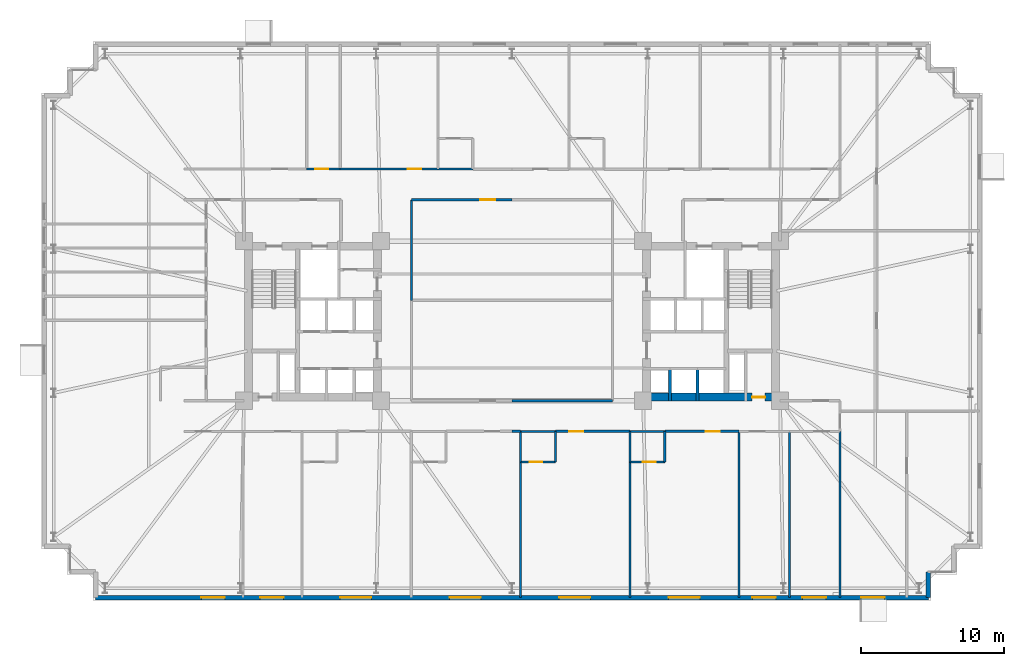
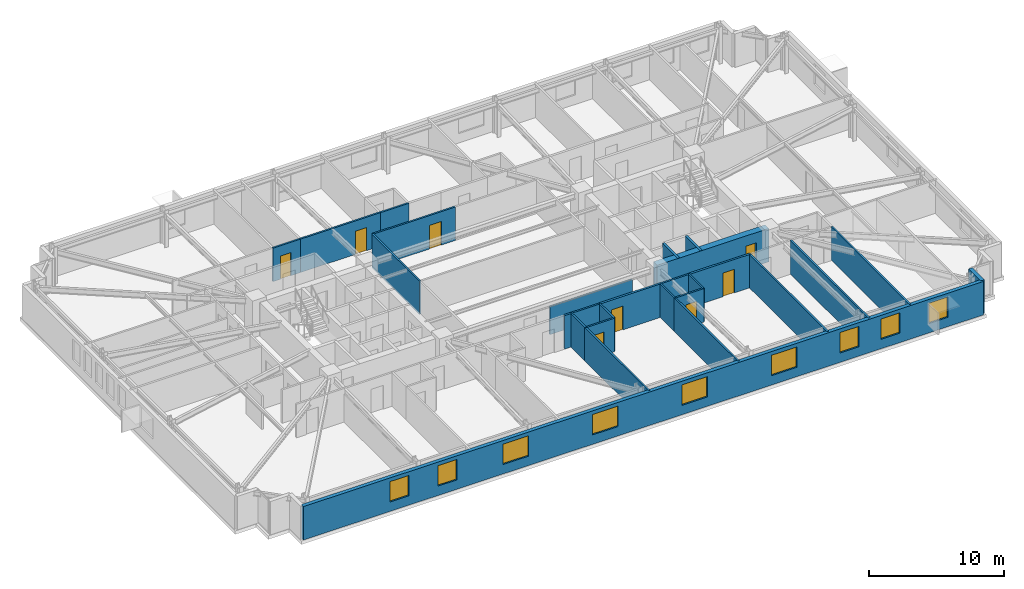
# One storey, part 16 of 21: 27 walls, 9 windows, 8 doors, 17 openings.
"""IFC4 building model written with IfcOpenShell, lengths in metres."""

from ifc_helpers import new_model, si_unit, direction, frame, frame_2d, origin, place, context, subcontext, project, spatial, rectangle, extrude, material, layer, layer_set, type_object, element, fill, save


model = new_model("IFC4")

# Units and contexts
model_context = context("Model", 3, precision=1e-05, world=origin(), true_north=direction((0.0, 1.0)))
body_context = subcontext(model_context, "Body", "Model", "MODEL_VIEW")
ifc_project = project(units=[si_unit("LENGTHUNIT", "METRE"), si_unit("AREAUNIT", "SQUARE_METRE"), si_unit("VOLUMEUNIT", "CUBIC_METRE"), si_unit("PLANEANGLEUNIT", "RADIAN"), si_unit("MASSUNIT", "GRAM", prefix="KILO")], contexts=[model_context])

# Site, building, storey
site_placement = place(None, origin())
site = spatial("IfcSite", under=ifc_project, at=site_placement, CompositionType="ELEMENT")
building_placement = place(site_placement, origin())
building = spatial("IfcBuilding", under=site, at=building_placement, Name="Qobustan Lattice House", CompositionType="ELEMENT")
storey_placement = place(building_placement, frame((0.0, 0.0, 40.39990234375)))
storey = spatial("IfcBuildingStorey", under=building, at=storey_placement, Name="L10", CompositionType="ELEMENT", Elevation=40.39990234375)

# Wall, opening, door
ifc_material_1 = material(Name="Concrete C60/75", Category="concrete")
ifc_layer_1 = layer(ifc_material_1, 0.56005859375)
ifc_layer_set_1 = layer_set([ifc_layer_1], Name="Concrete C60/75")
wall_type_1 = type_object("IfcWallType", Name="WAL-CORE-600", PredefinedType="SHEAR", material=ifc_layer_set_1)
wall_1_placement = place(storey_placement, frame((9.199951171875, -5.35009765625, 0.0), z_axis=(0.0, 0.0, 1.0), x_axis=(1.0, 0.0, 0.0)))
wall_1 = element("IfcWall", 1, at=wall_1_placement, inside=storey, type_object=wall_type_1, Name="L10 split-core shear wall CE-S", PredefinedType="SHEAR", context=body_context, shape_type="SweptSolid", body=[
    extrude(rectangle(XDim=9.60009765625, YDim=0.56005859375, at=frame_2d((4.800048828125, 0.0))), origin(), (0.0, 0.0, 1.0), 3.03515625),
])
opening_1_placement = place(wall_1_placement, frame((7.64990234375, 0.0, 0.0)))
opening_1 = element("IfcOpeningElement", 2, at=opening_1_placement, cuts=wall_1, Name="Opening RD-01", PredefinedType="OPENING", context=body_context, shape_type="SweptSolid", body=[
    extrude(rectangle(XDim=0.89990234375, YDim=2.10009765625, at=frame_2d((0.449951171875, 1.050048828125))), frame((0.0, 0.2900390625, 0.0), z_axis=(0.0, -1.0, 0.0), x_axis=(1.0, 0.0, 0.0)), (0.0, 0.0, 1.0), 0.580078125),
])
ifc_material_2 = material(Name="Persian walnut timber and steel frame door", Category="steel")
door_type_1 = type_object("IfcDoorType", Name="DOR-RISER-FD-900x2100", OperationType="NOTDEFINED", PredefinedType="DOOR", material=ifc_material_2)
door_1_placement = place(opening_1_placement, origin())
door_1 = element("IfcDoor", 3, at=door_1_placement, inside=storey, type_object=door_type_1, Name="L10 core service riser access door E", OperationType="SINGLE_SWING_RIGHT", OverallHeight=2.10009765625, OverallWidth=0.89990234375, PredefinedType="DOOR", context=body_context, shape_type="SweptSolid", body=[
    extrude(rectangle(XDim=0.89990234375, YDim=2.10009765625, at=frame_2d((0.449951171875, 1.050048828125))), frame((0.0, 0.02490234375, 0.0), z_axis=(0.0, -1.0, 0.0), x_axis=(1.0, 0.0, 0.0)), (0.0, 0.0, 1.0), 0.050048828125),
])
fill(opening_1, door_1)

# Wall
ifc_material_3 = material(Name="Precast concrete C40/50", Category="concrete")
ifc_layer_2 = layer(ifc_material_3, 0.320068359375)
ifc_layer_set_2 = layer_set([ifc_layer_2], Name="Precast concrete C40/50")
wall_type_2 = type_object("IfcWallType", Name="WAL-EXT-STONE-320", PredefinedType="SOLIDWALL", material=ifc_layer_set_2)
wall_2_placement = place(storey_placement, frame((29.199951171875, -17.60009765625, 0.0), z_axis=(0.0, 0.0, 1.0), x_axis=(0.0, -1.0, 0.0)))
element("IfcWall", 4, at=wall_2_placement, inside=storey, type_object=wall_type_2, Name="L10 exterior limestone-clad wall 19", PredefinedType="SOLIDWALL", context=body_context, shape_type="SweptSolid", body=[
    extrude(rectangle(XDim=1.7998046875, YDim=0.320068359375, at=frame_2d((0.89990234375, 0.0))), origin(), (0.0, 0.0, 1.0), 3.03515625),
])

# Wall, openings, windows
wall_3_placement = place(storey_placement, frame((29.199951171875, -19.39990234375, 0.0), z_axis=(0.0, 0.0, 1.0), x_axis=(-1.0, 0.0, 0.0)))
wall_3 = element("IfcWall", 5, at=wall_3_placement, inside=storey, type_object=wall_type_2, Name="L10 exterior limestone-clad wall 20", PredefinedType="SOLIDWALL", context=body_context, shape_type="SweptSolid", body=[
    extrude(rectangle(XDim=58.39990234375, YDim=0.320068359375, at=frame_2d((29.199951171875, 0.0))), origin(), (0.0, 0.0, 1.0), 3.03515625),
])
opening_2_placement = place(wall_3_placement, frame((3.054931640625, 0.0, 0.85009765625)))
opening_2 = element("IfcOpeningElement", 6, at=opening_2_placement, cuts=wall_3, Name="Opening WN-09", PredefinedType="OPENING", context=body_context, shape_type="SweptSolid", body=[
    extrude(rectangle(XDim=1.64990234375, YDim=1.85009765625, at=frame_2d((0.824951171875, 0.925048828125))), frame((0.0, 0.169921875, 0.0), z_axis=(0.0, -1.0, 0.0), x_axis=(1.0, 0.0, 0.0)), (0.0, 0.0, 1.0), 0.340087890625),
])
opening_3_placement = place(wall_3_placement, frame((7.175048828125, 0.0, 0.85009765625)))
opening_3 = element("IfcOpeningElement", 7, at=opening_3_placement, cuts=wall_3, Name="Opening WN-09", PredefinedType="OPENING", context=body_context, shape_type="SweptSolid", body=[
    extrude(rectangle(XDim=1.64990234375, YDim=1.85009765625, at=frame_2d((0.824951171875, 0.925048828125))), frame((0.0, 0.169921875, 0.0), z_axis=(0.0, -1.0, 0.0), x_axis=(1.0, 0.0, 0.0)), (0.0, 0.0, 1.0), 0.340087890625),
])
opening_4_placement = place(wall_3_placement, frame((10.695068359375, 0.0, 0.85009765625)))
opening_4 = element("IfcOpeningElement", 8, at=opening_4_placement, cuts=wall_3, Name="Opening WN-09", PredefinedType="OPENING", context=body_context, shape_type="SweptSolid", body=[
    extrude(rectangle(XDim=1.64990234375, YDim=1.85009765625, at=frame_2d((0.824951171875, 0.925048828125))), frame((0.0, 0.169921875, 0.0), z_axis=(0.0, -1.0, 0.0), x_axis=(1.0, 0.0, 0.0)), (0.0, 0.0, 1.0), 0.340087890625),
])
opening_5_placement = place(wall_3_placement, frame((16.02001953125, 0.0, 0.85009765625)))
opening_5 = element("IfcOpeningElement", 9, at=opening_5_placement, cuts=wall_3, Name="Opening WN-03", PredefinedType="OPENING", context=body_context, shape_type="SweptSolid", body=[
    extrude(rectangle(XDim=2.199951171875, YDim=1.85009765625, at=frame_2d((1.10009765625, 0.925048828125))), frame((0.0, 0.169921875, 0.0), z_axis=(0.0, -1.0, 0.0), x_axis=(1.0, 0.0, 0.0)), (0.0, 0.0, 1.0), 0.340087890625),
])
opening_6_placement = place(wall_3_placement, frame((23.699951171875, 0.0, 0.85009765625)))
opening_6 = element("IfcOpeningElement", 10, at=opening_6_placement, cuts=wall_3, Name="Opening WN-03", PredefinedType="OPENING", context=body_context, shape_type="SweptSolid", body=[
    extrude(rectangle(XDim=2.199951171875, YDim=1.85009765625, at=frame_2d((1.10009765625, 0.925048828125))), frame((0.0, 0.169921875, 0.0), z_axis=(0.0, -1.0, 0.0), x_axis=(1.0, 0.0, 0.0)), (0.0, 0.0, 1.0), 0.340087890625),
])
opening_7_placement = place(wall_3_placement, frame((31.3798828125, 0.0, 0.85009765625)))
opening_7 = element("IfcOpeningElement", 11, at=opening_7_placement, cuts=wall_3, Name="Opening WN-03", PredefinedType="OPENING", context=body_context, shape_type="SweptSolid", body=[
    extrude(rectangle(XDim=2.199951171875, YDim=1.85009765625, at=frame_2d((1.10009765625, 0.925048828125))), frame((0.0, 0.169921875, 0.0), z_axis=(0.0, -1.0, 0.0), x_axis=(1.0, 0.0, 0.0)), (0.0, 0.0, 1.0), 0.340087890625),
])
opening_8_placement = place(wall_3_placement, frame((39.06005859375, 0.0, 0.85009765625)))
opening_8 = element("IfcOpeningElement", 12, at=opening_8_placement, cuts=wall_3, Name="Opening WN-03", PredefinedType="OPENING", context=body_context, shape_type="SweptSolid", body=[
    extrude(rectangle(XDim=2.199951171875, YDim=1.85009765625, at=frame_2d((1.10009765625, 0.925048828125))), frame((0.0, 0.169921875, 0.0), z_axis=(0.0, -1.0, 0.0), x_axis=(1.0, 0.0, 0.0)), (0.0, 0.0, 1.0), 0.340087890625),
])
opening_9_placement = place(wall_3_placement, frame((45.215087890625, 0.0, 0.85009765625)))
opening_9 = element("IfcOpeningElement", 13, at=opening_9_placement, cuts=wall_3, Name="Opening WN-09", PredefinedType="OPENING", context=body_context, shape_type="SweptSolid", body=[
    extrude(rectangle(XDim=1.64990234375, YDim=1.85009765625, at=frame_2d((0.824951171875, 0.925048828125))), frame((0.0, 0.169921875, 0.0), z_axis=(0.0, -1.0, 0.0), x_axis=(1.0, 0.0, 0.0)), (0.0, 0.0, 1.0), 0.340087890625),
])
opening_10_placement = place(wall_3_placement, frame((49.3349609375, 0.0, 0.85009765625)))
opening_10 = element("IfcOpeningElement", 14, at=opening_10_placement, cuts=wall_3, Name="Opening WN-09", PredefinedType="OPENING", context=body_context, shape_type="SweptSolid", body=[
    extrude(rectangle(XDim=1.64990234375, YDim=1.85009765625, at=frame_2d((0.824951171875, 0.925048828125))), frame((0.0, 0.169921875, 0.0), z_axis=(0.0, -1.0, 0.0), x_axis=(1.0, 0.0, 0.0)), (0.0, 0.0, 1.0), 0.340087890625),
])
ifc_material_4 = material(Name="Double-glazed low-E aluminium window", Category="aluminium")
window_type_1 = type_object("IfcWindowType", Name="WIN-STU-1650x1850", PartitioningType="SINGLE_PANEL", PredefinedType="WINDOW", material=ifc_material_4)
window_1_placement = place(opening_2_placement, origin())
window_1 = element("IfcWindow", 15, at=window_1_placement, inside=storey, type_object=window_type_1, Name="L10 Focus study room E1A window", OverallHeight=1.85009765625, OverallWidth=1.64990234375, PartitioningType="SINGLE_PANEL", PredefinedType="WINDOW", context=body_context, shape_type="SweptSolid", body=[
    extrude(rectangle(XDim=1.64990234375, YDim=1.85009765625, at=frame_2d((0.824951171875, 0.925048828125))), frame((0.0, 0.030029296875, 0.0), z_axis=(0.0, -1.0, 0.0), x_axis=(1.0, 0.0, 0.0)), (0.0, 0.0, 1.0), 0.06005859375),
])
fill(opening_2, window_1)
window_2_placement = place(opening_3_placement, origin())
window_2 = element("IfcWindow", 16, at=window_2_placement, inside=storey, type_object=window_type_1, Name="L10 Academic seminar room window", OverallHeight=1.85009765625, OverallWidth=1.64990234375, PartitioningType="SINGLE_PANEL", PredefinedType="WINDOW", context=body_context, shape_type="SweptSolid", body=[
    extrude(rectangle(XDim=1.64990234375, YDim=1.85009765625, at=frame_2d((0.824951171875, 0.925048828125))), frame((0.0, 0.030029296875, 0.0), z_axis=(0.0, -1.0, 0.0), x_axis=(1.0, 0.0, 0.0)), (0.0, 0.0, 1.0), 0.06005859375),
])
fill(opening_3, window_2)
window_3_placement = place(opening_4_placement, origin())
window_3 = element("IfcWindow", 17, at=window_3_placement, inside=storey, type_object=window_type_1, Name="L10 Group study room window", OverallHeight=1.85009765625, OverallWidth=1.64990234375, PartitioningType="SINGLE_PANEL", PredefinedType="WINDOW", context=body_context, shape_type="SweptSolid", body=[
    extrude(rectangle(XDim=1.64990234375, YDim=1.85009765625, at=frame_2d((0.824951171875, 0.925048828125))), frame((0.0, 0.030029296875, 0.0), z_axis=(0.0, -1.0, 0.0), x_axis=(1.0, 0.0, 0.0)), (0.0, 0.0, 1.0), 0.06005859375),
])
fill(opening_4, window_3)
window_4_placement = place(opening_9_placement, origin())
window_4 = element("IfcWindow", 18, at=window_4_placement, inside=storey, type_object=window_type_1, Name="L10 Focus study room S1B window", OverallHeight=1.85009765625, OverallWidth=1.64990234375, PartitioningType="SINGLE_PANEL", PredefinedType="WINDOW", context=body_context, shape_type="SweptSolid", body=[
    extrude(rectangle(XDim=1.64990234375, YDim=1.85009765625, at=frame_2d((0.824951171875, 0.925048828125))), frame((0.0, 0.030029296875, 0.0), z_axis=(0.0, -1.0, 0.0), x_axis=(1.0, 0.0, 0.0)), (0.0, 0.0, 1.0), 0.06005859375),
])
fill(opening_9, window_4)
window_5_placement = place(opening_10_placement, origin())
window_5 = element("IfcWindow", 19, at=window_5_placement, inside=storey, type_object=window_type_1, Name="L10 Focus study room S1A window", OverallHeight=1.85009765625, OverallWidth=1.64990234375, PartitioningType="SINGLE_PANEL", PredefinedType="WINDOW", context=body_context, shape_type="SweptSolid", body=[
    extrude(rectangle(XDim=1.64990234375, YDim=1.85009765625, at=frame_2d((0.824951171875, 0.925048828125))), frame((0.0, 0.030029296875, 0.0), z_axis=(0.0, -1.0, 0.0), x_axis=(1.0, 0.0, 0.0)), (0.0, 0.0, 1.0), 0.06005859375),
])
fill(opening_10, window_5)
ifc_material_5 = material(Name="Double-glazed low-E aluminium window", Category="aluminium")
window_type_2 = type_object("IfcWindowType", Name="WIN-WIDE-2200x1850", PartitioningType="SINGLE_PANEL", PredefinedType="WINDOW", material=ifc_material_5)
window_6_placement = place(opening_5_placement, origin())
window_6 = element("IfcWindow", 20, at=window_6_placement, inside=storey, type_object=window_type_2, Name="L10 Kitchenette and studio apartment L10-S5 window", OverallHeight=1.85009765625, OverallWidth=2.199951171875, PartitioningType="SINGLE_PANEL", PredefinedType="WINDOW", context=body_context, shape_type="SweptSolid", body=[
    extrude(rectangle(XDim=2.199951171875, YDim=1.85009765625, at=frame_2d((1.10009765625, 0.925048828125))), frame((0.0, 0.030029296875, 0.0), z_axis=(0.0, -1.0, 0.0), x_axis=(1.0, 0.0, 0.0)), (0.0, 0.0, 1.0), 0.06005859375),
])
fill(opening_5, window_6)
window_7_placement = place(opening_6_placement, origin())
window_7 = element("IfcWindow", 21, at=window_7_placement, inside=storey, type_object=window_type_2, Name="L10 Kitchenette and studio apartment L10-S4 window", OverallHeight=1.85009765625, OverallWidth=2.199951171875, PartitioningType="SINGLE_PANEL", PredefinedType="WINDOW", context=body_context, shape_type="SweptSolid", body=[
    extrude(rectangle(XDim=2.199951171875, YDim=1.85009765625, at=frame_2d((1.10009765625, 0.925048828125))), frame((0.0, 0.030029296875, 0.0), z_axis=(0.0, -1.0, 0.0), x_axis=(1.0, 0.0, 0.0)), (0.0, 0.0, 1.0), 0.06005859375),
])
fill(opening_6, window_7)
window_8_placement = place(opening_7_placement, origin())
window_8 = element("IfcWindow", 22, at=window_8_placement, inside=storey, type_object=window_type_2, Name="L10 Kitchenette and studio apartment L10-S3 window", OverallHeight=1.85009765625, OverallWidth=2.199951171875, PartitioningType="SINGLE_PANEL", PredefinedType="WINDOW", context=body_context, shape_type="SweptSolid", body=[
    extrude(rectangle(XDim=2.199951171875, YDim=1.85009765625, at=frame_2d((1.10009765625, 0.925048828125))), frame((0.0, 0.030029296875, 0.0), z_axis=(0.0, -1.0, 0.0), x_axis=(1.0, 0.0, 0.0)), (0.0, 0.0, 1.0), 0.06005859375),
])
fill(opening_7, window_8)
window_9_placement = place(opening_8_placement, origin())
window_9 = element("IfcWindow", 23, at=window_9_placement, inside=storey, type_object=window_type_2, Name="L10 Kitchenette and studio apartment L10-S2 window", OverallHeight=1.85009765625, OverallWidth=2.199951171875, PartitioningType="SINGLE_PANEL", PredefinedType="WINDOW", context=body_context, shape_type="SweptSolid", body=[
    extrude(rectangle(XDim=2.199951171875, YDim=1.85009765625, at=frame_2d((1.10009765625, 0.925048828125))), frame((0.0, 0.030029296875, 0.0), z_axis=(0.0, -1.0, 0.0), x_axis=(1.0, 0.0, 0.0)), (0.0, 0.0, 1.0), 0.06005859375),
])
fill(opening_8, window_9)

# Wall
ifc_material_6 = material(Name="Gypsum fireboard acoustic partition", Category="gypsum")
ifc_layer_3 = layer(ifc_material_6, 0.179931640625)
ifc_layer_set_3 = layer_set([ifc_layer_3], Name="Gypsum fireboard acoustic partition")
wall_type_3 = type_object("IfcWallType", Name="WAL-FIRE-180", PredefinedType="PARTITIONING", material=ifc_layer_set_3)
wall_4_placement = place(storey_placement, frame((0.60009765625, -7.75, 0.0), z_axis=(0.0, 0.0, 1.0), x_axis=(-1.0, 0.0, 0.0)))
element("IfcWall", 24, at=wall_4_placement, inside=storey, type_object=wall_type_3, Name="L10 interior partition 66", PredefinedType="PARTITIONING", context=body_context, shape_type="SweptSolid", body=[
    extrude(rectangle(XDim=0.60009765625, YDim=0.179931640625, at=frame_2d((0.300048828125, 0.0))), origin(), (0.0, 0.0, 1.0), 3.03515625),
])

# Wall, opening, door
wall_5_placement = place(storey_placement, frame((8.26708984375, -7.75, 0.0), z_axis=(0.0, 0.0, 1.0), x_axis=(-1.0, 0.0, 0.0)))
wall_5 = element("IfcWall", 25, at=wall_5_placement, inside=storey, type_object=wall_type_3, Name="L10 interior partition 67", PredefinedType="PARTITIONING", context=body_context, shape_type="SweptSolid", body=[
    extrude(rectangle(XDim=5.217041015625, YDim=0.179931640625, at=frame_2d((2.6083984375, 0.0))), origin(), (0.0, 0.0, 1.0), 3.03515625),
])
opening_11_placement = place(wall_5_placement, frame((3.2548828125, 0.0, 0.0)))
opening_11 = element("IfcOpeningElement", 26, at=opening_11_placement, cuts=wall_5, Name="Opening FD-02", PredefinedType="OPENING", context=body_context, shape_type="SweptSolid", body=[
    extrude(rectangle(XDim=1.0, YDim=2.14990234375, at=frame_2d((0.5, 1.074951171875))), frame((0.0, 0.099853515625, 0.0), z_axis=(0.0, -1.0, 0.0), x_axis=(1.0, 0.0, 0.0)), (0.0, 0.0, 1.0), 0.199951171875),
])
ifc_material_7 = material(Name="Persian walnut timber and steel frame door", Category="steel")
door_type_2 = type_object("IfcDoorType", Name="DOR-UNIT-FD-1000x2150", OperationType="NOTDEFINED", PredefinedType="DOOR", material=ifc_material_7)
door_2_placement = place(opening_11_placement, origin())
door_2 = element("IfcDoor", 27, at=door_2_placement, inside=storey, type_object=door_type_2, Name="L10 South-east floor corridor to Kitchenette and studio apartment L10-S4 door", OperationType="SINGLE_SWING_LEFT", OverallHeight=2.14990234375, OverallWidth=1.0, PredefinedType="DOOR", context=body_context, shape_type="SweptSolid", body=[
    extrude(rectangle(XDim=1.0, YDim=2.14990234375, at=frame_2d((0.5, 1.074951171875))), frame((0.0, 0.02490234375, 0.0), z_axis=(0.0, -1.0, 0.0), x_axis=(1.0, 0.0, 0.0)), (0.0, 0.0, 1.0), 0.050048828125),
])
fill(opening_11, door_2)

wall_6_placement = place(storey_placement, frame((15.93310546875, -7.75, 0.0), z_axis=(0.0, 0.0, 1.0), x_axis=(-1.0, 0.0, 0.0)))
wall_6 = element("IfcWall", 28, at=wall_6_placement, inside=storey, type_object=wall_type_3, Name="L10 interior partition 69", PredefinedType="PARTITIONING", context=body_context, shape_type="SweptSolid", body=[
    extrude(rectangle(XDim=5.216064453125, YDim=0.179931640625, at=frame_2d((2.60791015625, 0.0))), origin(), (0.0, 0.0, 1.0), 3.03515625),
])
opening_12_placement = place(wall_6_placement, frame((1.343994140625, 0.0, 0.0)))
opening_12 = element("IfcOpeningElement", 29, at=opening_12_placement, cuts=wall_6, Name="Opening FD-02", PredefinedType="OPENING", context=body_context, shape_type="SweptSolid", body=[
    extrude(rectangle(XDim=1.0, YDim=2.14990234375, at=frame_2d((0.5, 1.074951171875))), frame((0.0, 0.099853515625, 0.0), z_axis=(0.0, -1.0, 0.0), x_axis=(1.0, 0.0, 0.0)), (0.0, 0.0, 1.0), 0.199951171875),
])
door_3_placement = place(opening_12_placement, origin())
door_3 = element("IfcDoor", 30, at=door_3_placement, inside=storey, type_object=door_type_2, Name="L10 South-east floor corridor to Kitchenette and studio apartment L10-S5 door", OperationType="SINGLE_SWING_RIGHT", OverallHeight=2.14990234375, OverallWidth=1.0, PredefinedType="DOOR", context=body_context, shape_type="SweptSolid", body=[
    extrude(rectangle(XDim=1.0, YDim=2.14990234375, at=frame_2d((0.5, 1.074951171875))), frame((0.0, 0.02490234375, 0.0), z_axis=(0.0, -1.0, 0.0), x_axis=(1.0, 0.0, 0.0)), (0.0, 0.0, 1.0), 0.050048828125),
])
fill(opening_12, door_3)

ifc_material_8 = material(Name="Acoustic twin-stud gypsum partition", Category="gypsum")
ifc_layer_4 = layer(ifc_material_8, 0.14990234375)
ifc_layer_set_4 = layer_set([ifc_layer_4], Name="Acoustic twin-stud gypsum partition")
wall_type_4 = type_object("IfcWallType", Name="WAL-PART-150", PredefinedType="PARTITIONING", material=ifc_layer_set_4)
wall_7_placement = place(storey_placement, frame((-12.050048828125, 10.64990234375, 0.0), z_axis=(0.0, 0.0, 1.0), x_axis=(1.0, 0.0, 0.0)))
wall_7 = element("IfcWall", 31, at=wall_7_placement, inside=storey, type_object=wall_type_4, Name="L10 interior partition 42", PredefinedType="PARTITIONING", context=body_context, shape_type="SweptSolid", body=[
    extrude(rectangle(XDim=6.85009765625, YDim=0.14990234375, at=frame_2d((3.425048828125, 0.0))), origin(), (0.0, 0.0, 1.0), 3.03515625),
])
opening_13_placement = place(wall_7_placement, frame((4.7275390625, 0.0, 0.0)))
opening_13 = element("IfcOpeningElement", 32, at=opening_13_placement, cuts=wall_7, Name="Opening ID-01", PredefinedType="OPENING", context=body_context, shape_type="SweptSolid", body=[
    extrude(rectangle(XDim=0.949951171875, YDim=2.10009765625, at=frame_2d((0.47509765625, 1.050048828125))), frame((0.0, 0.0849609375, 0.0), z_axis=(0.0, -1.0, 0.0), x_axis=(1.0, 0.0, 0.0)), (0.0, 0.0, 1.0), 0.169921875),
])
ifc_material_9 = material(Name="Persian walnut timber and steel frame door", Category="steel")
door_type_3 = type_object("IfcDoorType", Name="DOR-ROOM-950x2100", OperationType="NOTDEFINED", PredefinedType="DOOR", material=ifc_material_9)
door_4_placement = place(opening_13_placement, origin())
door_4 = element("IfcDoor", 33, at=door_4_placement, inside=storey, type_object=door_type_3, Name="L10 North-west floor corridor to Laundry utility room door", OperationType="SINGLE_SWING_LEFT", OverallHeight=2.10009765625, OverallWidth=0.949951171875, PredefinedType="DOOR", context=body_context, shape_type="SweptSolid", body=[
    extrude(rectangle(XDim=0.949951171875, YDim=2.10009765625, at=frame_2d((0.47509765625, 1.050048828125))), frame((0.0, 0.02490234375, 0.0), z_axis=(0.0, -1.0, 0.0), x_axis=(1.0, 0.0, 0.0)), (0.0, 0.0, 1.0), 0.050048828125),
])
fill(opening_13, door_4)

wall_8_placement = place(storey_placement, frame((0.0, 8.5, 0.0), z_axis=(0.0, 0.0, 1.0), x_axis=(-1.0, 0.0, 0.0)))
wall_8 = element("IfcWall", 34, at=wall_8_placement, inside=storey, type_object=wall_type_4, Name="L10 interior partition 45", PredefinedType="PARTITIONING", context=body_context, shape_type="SweptSolid", body=[
    extrude(rectangle(XDim=7.050048828125, YDim=0.14990234375, at=frame_2d((3.52490234375, 0.0))), origin(), (0.0, 0.0, 1.0), 3.03515625),
])
opening_14_placement = place(wall_8_placement, frame((1.18505859375, 0.0, 0.0)))
opening_14 = element("IfcOpeningElement", 35, at=opening_14_placement, cuts=wall_8, Name="Opening ID-02", PredefinedType="OPENING", context=body_context, shape_type="SweptSolid", body=[
    extrude(rectangle(XDim=1.050048828125, YDim=2.14990234375, at=frame_2d((0.52490234375, 1.074951171875))), frame((0.0, 0.0849609375, 0.0), z_axis=(0.0, -1.0, 0.0), x_axis=(1.0, 0.0, 0.0)), (0.0, 0.0, 1.0), 0.169921875),
])
ifc_material_10 = material(Name="Persian walnut timber and steel frame door", Category="steel")
door_type_4 = type_object("IfcDoorType", Name="DOR-STUDY-1050x2150", OperationType="NOTDEFINED", PredefinedType="DOOR", material=ifc_material_10)
door_5_placement = place(opening_14_placement, origin())
door_5 = element("IfcDoor", 36, at=door_5_placement, inside=storey, type_object=door_type_4, Name="L10 North-west floor corridor to Shared social lounge door", OperationType="SINGLE_SWING_RIGHT", OverallHeight=2.14990234375, OverallWidth=1.050048828125, PredefinedType="DOOR", context=body_context, shape_type="SweptSolid", body=[
    extrude(rectangle(XDim=1.050048828125, YDim=2.14990234375, at=frame_2d((0.52490234375, 1.074951171875))), frame((0.0, 0.02490234375, 0.0), z_axis=(0.0, -1.0, 0.0), x_axis=(1.0, 0.0, 0.0)), (0.0, 0.0, 1.0), 0.050048828125),
])
fill(opening_14, door_5)

# Walls
wall_9_placement = place(storey_placement, frame((0.0, -5.60009765625, 0.0), z_axis=(0.0, 0.0, 1.0), x_axis=(1.0, 0.0, 0.0)))
element("IfcWall", 37, at=wall_9_placement, inside=storey, type_object=wall_type_4, Name="L10 interior partition 73", PredefinedType="PARTITIONING", context=body_context, shape_type="SweptSolid", body=[
    extrude(rectangle(XDim=7.050048828125, YDim=0.14990234375, at=frame_2d((3.52490234375, 0.0))), origin(), (0.0, 0.0, 1.0), 2.52001953125),
])
wall_10_placement = place(storey_placement, frame((-7.050048828125, 8.5, 0.0), z_axis=(0.0, 0.0, 1.0), x_axis=(0.0, -1.0, 0.0)))
element("IfcWall", 38, at=wall_10_placement, inside=storey, type_object=wall_type_4, Name="L10 interior partition 75", PredefinedType="PARTITIONING", context=body_context, shape_type="SweptSolid", body=[
    extrude(rectangle(XDim=7.050048828125, YDim=0.14990234375, at=frame_2d((3.52490234375, 0.0))), origin(), (0.0, 0.0, 1.0), 3.03515625),
])
wall_11_placement = place(storey_placement, frame((23.0, -19.39990234375, 0.0), z_axis=(0.0, 0.0, 1.0), x_axis=(0.0, 1.0, 0.0)))
element("IfcWall", 39, at=wall_11_placement, inside=storey, type_object=wall_type_4, Name="L10 interior partition 95", PredefinedType="PARTITIONING", context=body_context, shape_type="SweptSolid", body=[
    extrude(rectangle(XDim=11.64990234375, YDim=0.14990234375, at=frame_2d((5.824951171875, 0.0))), origin(), (0.0, 0.0, 1.0), 3.03515625),
])
for number, where, z_axis, x_axis, name in (
    (40, (0.60009765625, -9.89990234375, 0.0), (0.0, 0.0, 1.0), (0.0, -1.0, 0.0), "L10 interior partition 123"),
    (41, (8.26708984375, -9.89990234375, 0.0), (0.0, 0.0, 1.0), (0.0, -1.0, 0.0), "L10 interior partition 127"),
):
    element("IfcWall", number, at=place(storey_placement, frame(where, z_axis=z_axis, x_axis=x_axis)), inside=storey, type_object=wall_type_4, Name=name, PredefinedType="PARTITIONING", context=body_context, shape_type="SweptSolid", body=[
        extrude(rectangle(XDim=9.5, YDim=0.14990234375, at=frame_2d((4.75, 0.0))), origin(), (0.0, 0.0, 1.0), 3.03515625),
    ])
for number, where, z_axis, x_axis, name in (
    (42, (15.93310546875, -7.75, 0.0), (0.0, 0.0, 1.0), (0.0, -1.0, 0.0), "L10 interior partition 131"),
    (43, (19.466552734375, -7.75, 0.0), (0.0, 0.0, 1.0), (0.0, -1.0, 0.0), "L10 interior partition 132"),
):
    element("IfcWall", number, at=place(storey_placement, frame(where, z_axis=z_axis, x_axis=x_axis)), inside=storey, type_object=wall_type_4, Name=name, PredefinedType="PARTITIONING", context=body_context, shape_type="SweptSolid", body=[
        extrude(rectangle(XDim=11.64990234375, YDim=0.14990234375, at=frame_2d((5.824951171875, 0.0))), origin(), (0.0, 0.0, 1.0), 3.03515625),
    ])
ifc_material_11 = material(Name="Concrete C40/50", Category="concrete")
ifc_layer_5 = layer(ifc_material_11, 0.199951171875)
ifc_layer_set_5 = layer_set([ifc_layer_5], Name="Concrete C40/50")
wall_type_5 = type_object("IfcWallType", Name="WAL-SHAFT-200", PredefinedType="PARTITIONING", material=ifc_layer_set_5)
for number, where, z_axis, x_axis, name in (
    (44, (11.080078125, -5.60009765625, 0.0), (0.0, 0.0, 1.0), (0.0, 1.0, 0.0), "L10 interior partition 34"),
    (45, (13.02001953125, -5.60009765625, 0.0), (0.0, 0.0, 1.0), (0.0, 1.0, 0.0), "L10 interior partition 35"),
):
    element("IfcWall", number, at=place(storey_placement, frame(where, z_axis=z_axis, x_axis=x_axis)), inside=storey, type_object=wall_type_5, Name=name, PredefinedType="PARTITIONING", context=body_context, shape_type="SweptSolid", body=[
        extrude(rectangle(XDim=2.25, YDim=0.199951171875, at=frame_2d((1.125, 0.0))), origin(), (0.0, 0.0, 1.0), 3.03515625),
    ])

# Wall, opening, door
ifc_material_12 = material(Name="Moisture-resistant acoustic plumbing wall", Category="gypsum")
ifc_layer_6 = layer(ifc_material_12, 0.14990234375)
ifc_layer_set_6 = layer_set([ifc_layer_6], Name="Moisture-resistant acoustic plumbing wall")
wall_type_6 = type_object("IfcWallType", Name="WAL-WET-150", PredefinedType="PLUMBINGWALL", material=ifc_layer_set_6)
wall_12_placement = place(storey_placement, frame((-14.39990234375, 10.64990234375, 0.0), z_axis=(0.0, 0.0, 1.0), x_axis=(1.0, 0.0, 0.0)))
wall_12 = element("IfcWall", 46, at=wall_12_placement, inside=storey, type_object=wall_type_6, Name="L10 interior partition 41", PredefinedType="PLUMBINGWALL", context=body_context, shape_type="SweptSolid", body=[
    extrude(rectangle(XDim=2.349853515625, YDim=0.14990234375, at=frame_2d((1.1748046875, 0.0))), origin(), (0.0, 0.0, 1.0), 3.03515625),
])
opening_15_placement = place(wall_12_placement, frame((0.6162109375, 0.0, 0.0)))
opening_15 = element("IfcOpeningElement", 47, at=opening_15_placement, cuts=wall_12, Name="Opening WD-01", PredefinedType="OPENING", context=body_context, shape_type="SweptSolid", body=[
    extrude(rectangle(XDim=0.89990234375, YDim=2.10009765625, at=frame_2d((0.449951171875, 1.050048828125))), frame((0.0, 0.0849609375, 0.0), z_axis=(0.0, -1.0, 0.0), x_axis=(1.0, 0.0, 0.0)), (0.0, 0.0, 1.0), 0.169921875),
])
ifc_material_13 = material(Name="Persian walnut timber and steel frame door", Category="steel")
door_type_5 = type_object("IfcDoorType", Name="DOR-WET-900x2100", OperationType="NOTDEFINED", PredefinedType="DOOR", material=ifc_material_13)
door_6_placement = place(opening_15_placement, origin())
door_6 = element("IfcDoor", 48, at=door_6_placement, inside=storey, type_object=door_type_5, Name="L10 North-west floor corridor to Accessible WC door", OperationType="SINGLE_SWING_RIGHT", OverallHeight=2.10009765625, OverallWidth=0.89990234375, PredefinedType="DOOR", context=body_context, shape_type="SweptSolid", body=[
    extrude(rectangle(XDim=0.89990234375, YDim=2.10009765625, at=frame_2d((0.449951171875, 1.050048828125))), frame((0.0, 0.02490234375, 0.0), z_axis=(0.0, -1.0, 0.0), x_axis=(1.0, 0.0, 0.0)), (0.0, 0.0, 1.0), 0.050048828125),
])
fill(opening_15, door_6)

# Walls
for number, where, z_axis, x_axis, name in (
    (49, (-5.199951171875, 10.64990234375, 0.0), (0.0, 0.0, 1.0), (1.0, 0.0, 0.0), "L10 interior partition 44"),
    (50, (3.050048828125, -7.75, 0.0), (0.0, 0.0, 1.0), (-1.0, 0.0, 0.0), "L10 interior partition 68"),
    (51, (10.717041015625, -7.75, 0.0), (0.0, 0.0, 1.0), (-1.0, 0.0, 0.0), "L10 interior partition 70"),
):
    element("IfcWall", number, at=place(storey_placement, frame(where, z_axis=z_axis, x_axis=x_axis)), inside=storey, type_object=wall_type_6, Name=name, PredefinedType="PLUMBINGWALL", context=body_context, shape_type="SweptSolid", body=[
        extrude(rectangle(XDim=2.449951171875, YDim=0.14990234375, at=frame_2d((1.22509765625, 0.0))), origin(), (0.0, 0.0, 1.0), 3.03515625),
    ])
wall_13_placement = place(storey_placement, frame((0.60009765625, -7.75, 0.0), z_axis=(0.0, 0.0, 1.0), x_axis=(0.0, -1.0, 0.0)))
element("IfcWall", 52, at=wall_13_placement, inside=storey, type_object=wall_type_6, Name="L10 interior partition 124", PredefinedType="PLUMBINGWALL", context=body_context, shape_type="SweptSolid", body=[
    extrude(rectangle(XDim=2.14990234375, YDim=0.14990234375, at=frame_2d((1.074951171875, 0.0))), origin(), (0.0, 0.0, 1.0), 3.03515625),
])

# Wall, opening, door
wall_14_placement = place(storey_placement, frame((0.60009765625, -9.89990234375, 0.0), z_axis=(0.0, 0.0, 1.0), x_axis=(1.0, 0.0, 0.0)))
wall_14 = element("IfcWall", 53, at=wall_14_placement, inside=storey, type_object=wall_type_6, Name="L10 interior partition 125", PredefinedType="PLUMBINGWALL", context=body_context, shape_type="SweptSolid", body=[
    extrude(rectangle(XDim=2.449951171875, YDim=0.14990234375, at=frame_2d((1.22509765625, 0.0))), origin(), (0.0, 0.0, 1.0), 3.03515625),
])
opening_16_placement = place(wall_14_placement, frame((0.628662109375, 0.0, 0.0)))
opening_16 = element("IfcOpeningElement", 54, at=opening_16_placement, cuts=wall_14, Name="Opening WD-01", PredefinedType="OPENING", context=body_context, shape_type="SweptSolid", body=[
    extrude(rectangle(XDim=0.89990234375, YDim=2.10009765625, at=frame_2d((0.449951171875, 1.050048828125))), frame((0.0, 0.0849609375, 0.0), z_axis=(0.0, -1.0, 0.0), x_axis=(1.0, 0.0, 0.0)), (0.0, 0.0, 1.0), 0.169921875),
])
door_7_placement = place(opening_16_placement, origin())
door_7 = element("IfcDoor", 55, at=door_7_placement, inside=storey, type_object=door_type_5, Name="L10 Kitchenette and studio apartment L10-S4 to En-suite bathroom L10-S4 door", OperationType="SINGLE_SWING_LEFT", OverallHeight=2.10009765625, OverallWidth=0.89990234375, PredefinedType="DOOR", context=body_context, shape_type="SweptSolid", body=[
    extrude(rectangle(XDim=0.89990234375, YDim=2.10009765625, at=frame_2d((0.449951171875, 1.050048828125))), frame((0.0, 0.02490234375, 0.0), z_axis=(0.0, -1.0, 0.0), x_axis=(1.0, 0.0, 0.0)), (0.0, 0.0, 1.0), 0.050048828125),
])
fill(opening_16, door_7)

# Walls
for number, where, z_axis, x_axis, name in (
    (56, (3.050048828125, -9.89990234375, 0.0), (0.0, 0.0, 1.0), (0.0, 1.0, 0.0), "L10 interior partition 126"),
    (57, (8.26708984375, -7.75, 0.0), (0.0, 0.0, 1.0), (0.0, -1.0, 0.0), "L10 interior partition 128"),
):
    element("IfcWall", number, at=place(storey_placement, frame(where, z_axis=z_axis, x_axis=x_axis)), inside=storey, type_object=wall_type_6, Name=name, PredefinedType="PLUMBINGWALL", context=body_context, shape_type="SweptSolid", body=[
        extrude(rectangle(XDim=2.14990234375, YDim=0.14990234375, at=frame_2d((1.074951171875, 0.0))), origin(), (0.0, 0.0, 1.0), 3.03515625),
    ])

# Wall, opening, door
wall_15_placement = place(storey_placement, frame((8.26708984375, -9.89990234375, 0.0), z_axis=(0.0, 0.0, 1.0), x_axis=(1.0, 0.0, 0.0)))
wall_15 = element("IfcWall", 58, at=wall_15_placement, inside=storey, type_object=wall_type_6, Name="L10 interior partition 129", PredefinedType="PLUMBINGWALL", context=body_context, shape_type="SweptSolid", body=[
    extrude(rectangle(XDim=2.449951171875, YDim=0.14990234375, at=frame_2d((1.22509765625, 0.0))), origin(), (0.0, 0.0, 1.0), 3.03515625),
])
opening_17_placement = place(wall_15_placement, frame((0.92138671875, 0.0, 0.0)))
opening_17 = element("IfcOpeningElement", 59, at=opening_17_placement, cuts=wall_15, Name="Opening WD-01", PredefinedType="OPENING", context=body_context, shape_type="SweptSolid", body=[
    extrude(rectangle(XDim=0.89990234375, YDim=2.10009765625, at=frame_2d((0.449951171875, 1.050048828125))), frame((0.0, 0.0849609375, 0.0), z_axis=(0.0, -1.0, 0.0), x_axis=(1.0, 0.0, 0.0)), (0.0, 0.0, 1.0), 0.169921875),
])
door_8_placement = place(opening_17_placement, origin())
door_8 = element("IfcDoor", 60, at=door_8_placement, inside=storey, type_object=door_type_5, Name="L10 Kitchenette and studio apartment L10-S5 to En-suite bathroom L10-S5 door", OperationType="SINGLE_SWING_RIGHT", OverallHeight=2.10009765625, OverallWidth=0.89990234375, PredefinedType="DOOR", context=body_context, shape_type="SweptSolid", body=[
    extrude(rectangle(XDim=0.89990234375, YDim=2.10009765625, at=frame_2d((0.449951171875, 1.050048828125))), frame((0.0, 0.02490234375, 0.0), z_axis=(0.0, -1.0, 0.0), x_axis=(1.0, 0.0, 0.0)), (0.0, 0.0, 1.0), 0.050048828125),
])
fill(opening_17, door_8)

# Wall
wall_16_placement = place(storey_placement, frame((10.717041015625, -9.89990234375, 0.0), z_axis=(0.0, 0.0, 1.0), x_axis=(0.0, 1.0, 0.0)))
element("IfcWall", 61, at=wall_16_placement, inside=storey, type_object=wall_type_6, Name="L10 interior partition 130", PredefinedType="PLUMBINGWALL", context=body_context, shape_type="SweptSolid", body=[
    extrude(rectangle(XDim=2.14990234375, YDim=0.14990234375, at=frame_2d((1.074951171875, 0.0))), origin(), (0.0, 0.0, 1.0), 3.03515625),
])

save(model, "model.ifc")
